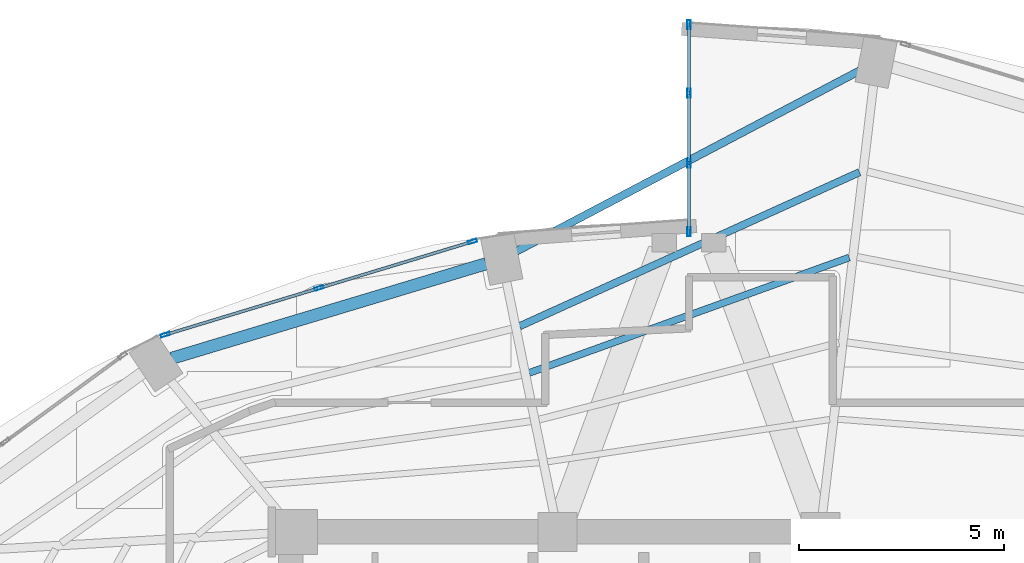
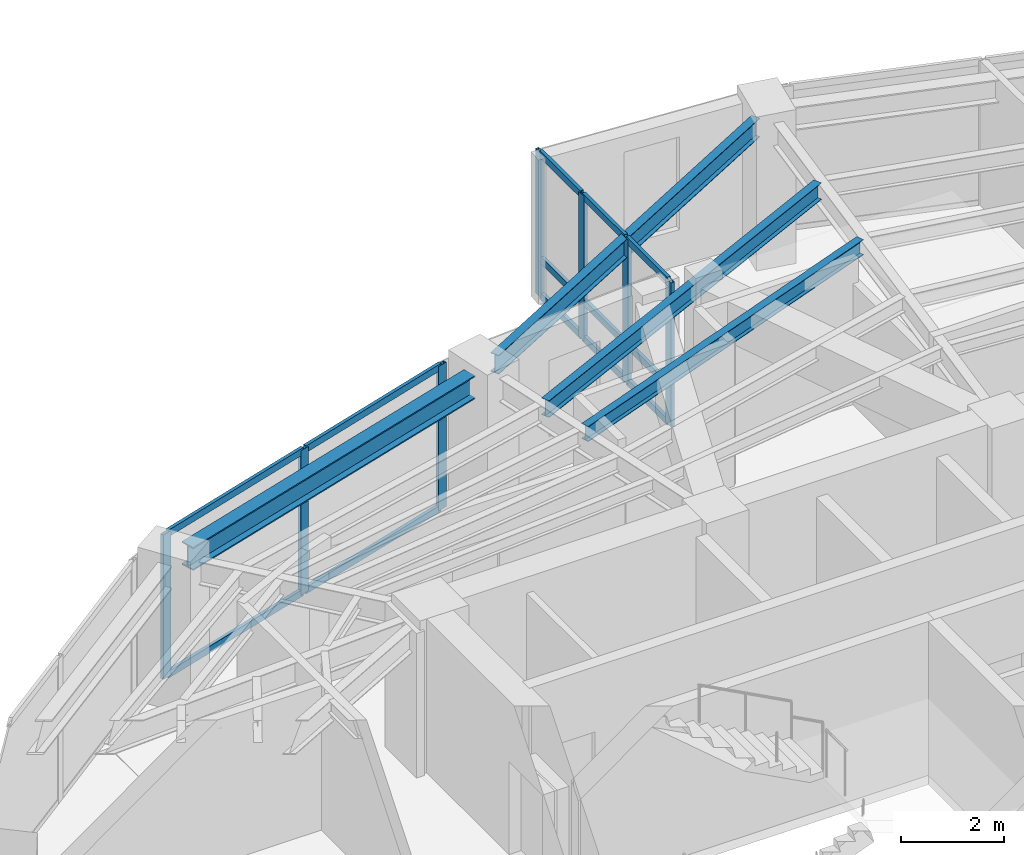
# One storey, part 12 of 20: 20 members, 4 beams, 2 elements without a shape of their own.
"""IFC4 building model written with IfcOpenShell, lengths in metres."""

from ifc_helpers import new_model, si_unit, direction, frame, origin, origin_2d, place, context, subcontext, project, spatial, hollow_rectangle, i_section, extrude, material, layer, layer_set, material_profile, profile_set, type_object, element, aggregate, save


model = new_model("IFC4")

# Units and contexts
model_context = context("Model", 3, precision=1e-05, world=origin(), true_north=direction((0.0, 1.0)))
body_context = subcontext(model_context, "Body", "Model", "MODEL_VIEW")
ifc_project = project(units=[si_unit("LENGTHUNIT", "METRE"), si_unit("AREAUNIT", "SQUARE_METRE"), si_unit("VOLUMEUNIT", "CUBIC_METRE"), si_unit("PLANEANGLEUNIT", "RADIAN"), si_unit("MASSUNIT", "GRAM", prefix="KILO")], contexts=[model_context])

# Site, building, storey
site_placement = place(None, origin())
site = spatial("IfcSite", under=ifc_project, at=site_placement, CompositionType="ELEMENT")
building_placement = place(site_placement, origin())
building = spatial("IfcBuilding", under=site, at=building_placement, Name="Lazwardi Medical Tower", CompositionType="ELEMENT")
storey_placement = place(building_placement, frame((0.0, 0.0, 152.8798828125)))
storey = spatial("IfcBuildingStorey", under=building, at=storey_placement, Name="L39", CompositionType="ELEMENT", Elevation=152.8798828125)

# Beams
ifc_material_1 = material(Name="Steel S355", Category="steel")
ifc_material_profile_1 = material_profile(ifc_material_1, i_section(OverallWidth=0.300048828125, OverallDepth=0.550048828125, WebThickness=0.014892578125, FlangeThickness=0.029052734375, at=origin_2d()), Name="HEB 550")
ifc_profile_set_1 = profile_set([ifc_material_profile_1], Name="Steel S355")
beam_type_1 = type_object("IfcBeamType", Name="BM-RB-Z3", PredefinedType="BEAM", material=ifc_profile_set_1)
beam_1_placement = place(storey_placement, frame((31.056884765625, 42.133544921875, 3.153076171875), z_axis=(-0.957616873483, -0.288045002771, 0.0), x_axis=(0.288045002771, -0.957616873483, 0.0)))
element("IfcBeam", 1, at=beam_1_placement, inside=storey, type_object=beam_type_1, Name="Ring beam RB-04 B09 L39", PredefinedType="BEAM", context=body_context, shape_type="SweptSolid", body=[
    extrude(i_section(OverallWidth=0.300048828125, OverallDepth=0.550048828125, WebThickness=0.014892578125, FlangeThickness=0.029052734375, at=origin_2d()), origin(), (0.0, 0.0, 1.0), 7.99951171875),
])
ifc_material_profile_2 = material_profile(ifc_material_1, i_section(OverallWidth=0.179931640625, OverallDepth=0.39990234375, WebThickness=0.008544921875, FlangeThickness=0.013427734375, at=origin_2d()), Name="IPE 400")
ifc_profile_set_2 = profile_set([ifc_material_profile_2], Name="Steel S355")
beam_type_2 = type_object("IfcBeamType", Name="BM-SJ-01", PredefinedType="JOIST", material=ifc_profile_set_2)
beam_2_placement = place(storey_placement, frame((40.155029296875, 44.3642578125, 3.22802734375), z_axis=(-0.910834000674, -0.412772846995, 0.0), x_axis=(0.412772846995, -0.910834000674, 0.0)))
element("IfcBeam", 2, at=beam_2_placement, inside=storey, type_object=beam_type_2, Name="Secondary joist SJ-01 R1 B08 L39", PredefinedType="JOIST", context=body_context, shape_type="SweptSolid", body=[
    extrude(i_section(OverallWidth=0.179931640625, OverallDepth=0.39990234375, WebThickness=0.008544921875, FlangeThickness=0.013427734375, at=origin_2d()), origin(), (0.0, 0.0, 1.0), 9.09130859375),
])
ifc_material_profile_3 = material_profile(ifc_material_1, i_section(OverallWidth=0.169921875, OverallDepth=0.360107421875, WebThickness=0.008056640625, FlangeThickness=0.0126953125, at=origin_2d()), Name="IPE 360")
ifc_profile_set_3 = profile_set([ifc_material_profile_3], Name="Steel S355")
beam_type_3 = type_object("IfcBeamType", Name="BM-SJ-02", PredefinedType="JOIST", material=ifc_profile_set_3)
beam_3_placement = place(storey_placement, frame((39.904052734375, 42.284423828125, 3.248046875), z_axis=(-0.940747993319, -0.339106492221, 0.0), x_axis=(0.339106492221, -0.940747993319, 0.0)))
element("IfcBeam", 3, at=beam_3_placement, inside=storey, type_object=beam_type_3, Name="Secondary joist SJ-02 R2 B08 L39", PredefinedType="JOIST", context=body_context, shape_type="SweptSolid", body=[
    extrude(i_section(OverallWidth=0.169921875, OverallDepth=0.360107421875, WebThickness=0.008056640625, FlangeThickness=0.0126953125, at=origin_2d()), origin(), (0.0, 0.0, 1.0), 8.28662109375),
])
ifc_material_profile_4 = material_profile(ifc_material_1, i_section(OverallWidth=0.18994140625, OverallDepth=0.449951171875, WebThickness=0.009521484375, FlangeThickness=0.0146484375, at=origin_2d()), Name="IPE 450")
ifc_profile_set_4 = profile_set([ifc_material_profile_4], Name="Steel S355")
beam_type_4 = type_object("IfcBeamType", Name="BM-SP-01", PredefinedType="SPANDREL", material=ifc_profile_set_4)
beam_4_placement = place(storey_placement, frame((40.206298828125, 46.862548828125, 3.203125), z_axis=(-0.884926578414, -0.465730556026, 0.0), x_axis=(0.465730556026, -0.884926578414, 0.0)))
element("IfcBeam", 4, at=beam_4_placement, inside=storey, type_object=beam_type_4, Name="Spandrel beam SP-01 B08 L39", PredefinedType="SPANDREL", context=body_context, shape_type="SweptSolid", body=[
    extrude(i_section(OverallWidth=0.18994140625, OverallDepth=0.449951171875, WebThickness=0.009521484375, FlangeThickness=0.0146484375, at=origin_2d()), origin(), (0.0, 0.0, 1.0), 9.506591796875),
])

# Curtain wall, members
ifc_material_2 = material(Name="Anodised bronze aluminium and solar control glazing", Category="aluminium")
ifc_layer_1 = layer(ifc_material_2, 0.195068359375)
ifc_layer_set_1 = layer_set([ifc_layer_1], Name="Anodised bronze aluminium and solar control glazing")
curtain_wall_type_1 = type_object("IfcCurtainWallType", Name="CW-SYS-03", PredefinedType="NOTDEFINED", material=ifc_layer_set_1)
curtain_wall_1_placement = place(storey_placement, origin())
curtain_wall_1 = element("IfcCurtainWall", 5, at=curtain_wall_1_placement, inside=storey, type_object=curtain_wall_type_1, Name="L39 Unitised bronze curtain wall CW-03", PredefinedType="NOTDEFINED")
ifc_material_3 = material(Name="Anodised bronze aluminium", Category="aluminium")
ifc_material_profile_5 = material_profile(ifc_material_3, hollow_rectangle(XDim=0.074951171875, YDim=0.219970703125, WallThickness=0.00390625, at=origin_2d()), Name="ALU-MULLION 220x75x4")
ifc_profile_set_5 = profile_set([ifc_material_profile_5], Name="Anodised bronze aluminium")
member_type_1 = type_object("IfcMemberType", Name="CW-MUL-01", PredefinedType="MULLION", material=ifc_profile_set_5)
member_1_placement = place(storey_placement, frame((30.72802734375, 42.674072265625, 0.0), z_axis=(0.0, 0.0, 1.0), x_axis=(0.290280785441, -0.956941516292, 0.0)))
member_1 = element("IfcMember", 6, at=member_1_placement, type_object=member_type_1, Name="CW-03 mullion 1", PredefinedType="MULLION", context=body_context, shape_type="SweptSolid", body=[
    extrude(hollow_rectangle(XDim=0.074951171875, YDim=0.219970703125, WallThickness=0.00390625, at=origin_2d()), origin(), (0.0, 0.0, 1.0), 3.42822265625),
])
member_2_placement = place(storey_placement, frame((26.98486328125, 41.538818359375, 0.0), z_axis=(0.0, 0.0, 1.0), x_axis=(0.290280785441, -0.956941516292, 0.0)))
member_2 = element("IfcMember", 7, at=member_2_placement, type_object=member_type_1, Name="CW-03 mullion 2", PredefinedType="MULLION", context=body_context, shape_type="SweptSolid", body=[
    extrude(hollow_rectangle(XDim=0.074951171875, YDim=0.219970703125, WallThickness=0.00390625, at=origin_2d()), origin(), (0.0, 0.0, 1.0), 3.42822265625),
])
member_3_placement = place(storey_placement, frame((23.241943359375, 40.4033203125, 0.0), z_axis=(0.0, 0.0, 1.0), x_axis=(0.290280785441, -0.956941516292, 0.0)))
member_3 = element("IfcMember", 8, at=member_3_placement, type_object=member_type_1, Name="CW-03 mullion 3", PredefinedType="MULLION", context=body_context, shape_type="SweptSolid", body=[
    extrude(hollow_rectangle(XDim=0.074951171875, YDim=0.219970703125, WallThickness=0.00390625, at=origin_2d()), origin(), (0.0, 0.0, 1.0), 3.42822265625),
])

ifc_layer_2 = layer(ifc_material_2, 0.2099609375)
ifc_layer_set_2 = layer_set([ifc_layer_2], Name="Anodised bronze aluminium and solar control glazing")
curtain_wall_type_2 = type_object("IfcCurtainWallType", Name="CW-SYS-06", PredefinedType="NOTDEFINED", material=ifc_layer_set_2)
curtain_wall_2_placement = place(storey_placement, origin())
curtain_wall_2 = element("IfcCurtainWall", 9, at=curtain_wall_2_placement, inside=storey, type_object=curtain_wall_type_2, Name="L39 Unitised bronze curtain wall CW-06", PredefinedType="NOTDEFINED")
member_4_placement = place(storey_placement, frame((36.0, 47.96240234375, 0.0), z_axis=(0.0, 0.0, 1.0), x_axis=(1.0, 0.0, 0.0)))
member_4 = element("IfcMember", 10, at=member_4_placement, type_object=member_type_1, Name="CW-06 mullion 1", PredefinedType="MULLION", context=body_context, shape_type="SweptSolid", body=[
    extrude(hollow_rectangle(XDim=0.074951171875, YDim=0.219970703125, WallThickness=0.00390625, at=origin_2d()), origin(), (0.0, 0.0, 1.0), 3.42822265625),
])
member_5_placement = place(storey_placement, frame((36.0, 46.293212890625, 0.0), z_axis=(0.0, 0.0, 1.0), x_axis=(1.0, 0.0, 0.0)))
member_5 = element("IfcMember", 11, at=member_5_placement, type_object=member_type_1, Name="CW-06 mullion 2", PredefinedType="MULLION", context=body_context, shape_type="SweptSolid", body=[
    extrude(hollow_rectangle(XDim=0.074951171875, YDim=0.219970703125, WallThickness=0.00390625, at=origin_2d()), origin(), (0.0, 0.0, 1.0), 3.42822265625),
])
member_6_placement = place(storey_placement, frame((36.0, 44.586669921875, 0.0), z_axis=(0.0, 0.0, 1.0), x_axis=(1.0, 0.0, 0.0)))
member_6 = element("IfcMember", 12, at=member_6_placement, type_object=member_type_1, Name="CW-06 mullion 3", PredefinedType="MULLION", context=body_context, shape_type="SweptSolid", body=[
    extrude(hollow_rectangle(XDim=0.074951171875, YDim=0.219970703125, WallThickness=0.00390625, at=origin_2d()), origin(), (0.0, 0.0, 1.0), 3.42822265625),
])
member_7_placement = place(storey_placement, frame((36.0, 42.91748046875, 0.0), z_axis=(0.0, 0.0, 1.0), x_axis=(1.0, 0.0, 0.0)))
member_7 = element("IfcMember", 13, at=member_7_placement, type_object=member_type_1, Name="CW-06 mullion 4", PredefinedType="MULLION", context=body_context, shape_type="SweptSolid", body=[
    extrude(hollow_rectangle(XDim=0.074951171875, YDim=0.219970703125, WallThickness=0.00390625, at=origin_2d()), origin(), (0.0, 0.0, 1.0), 3.42822265625),
])

# Member
ifc_material_profile_6 = material_profile(ifc_material_3, hollow_rectangle(XDim=0.074951171875, YDim=0.159912109375, WallThickness=0.00390625, at=origin_2d()), Name="ALU-TRANSOM 160x75x4")
ifc_profile_set_6 = profile_set([ifc_material_profile_6], Name="Anodised bronze aluminium")
member_type_2 = type_object("IfcMemberType", Name="CW-TRN-01", PredefinedType="USERDEFINED", material=ifc_profile_set_6)
member_8_placement = place(storey_placement, frame((30.692138671875, 42.663330078125, 0.03759765625), z_axis=(-0.956935517424, -0.290300560612, 0.0), x_axis=(0.290300560612, -0.956935517424, 0.0)))
member_8 = element("IfcMember", 14, at=member_8_placement, type_object=member_type_2, Name="CW-03 transom 1.1", ObjectType="TRANSOM", PredefinedType="USERDEFINED", context=body_context, shape_type="SweptSolid", body=[
    extrude(hollow_rectangle(XDim=0.074951171875, YDim=0.159912109375, WallThickness=0.00390625, at=origin_2d()), origin(), (0.0, 0.0, 1.0), 3.836669921875),
])

member_9_placement = place(storey_placement, frame((30.692138671875, 42.663330078125, 3.390625), z_axis=(-0.956935517424, -0.290300560612, 0.0), x_axis=(0.290300560612, -0.956935517424, 0.0)))
member_9 = element("IfcMember", 15, at=member_9_placement, type_object=member_type_2, Name="CW-03 transom 1.2", ObjectType="TRANSOM", PredefinedType="USERDEFINED", context=body_context, shape_type="SweptSolid", body=[
    extrude(hollow_rectangle(XDim=0.074951171875, YDim=0.159912109375, WallThickness=0.00390625, at=origin_2d()), origin(), (0.0, 0.0, 1.0), 3.836669921875),
])

member_10_placement = place(storey_placement, frame((26.948974609375, 41.52783203125, 0.03759765625), z_axis=(-0.956930154175, -0.290318239233, 0.0), x_axis=(0.290318239233, -0.956930154175, 0.0)))
member_10 = element("IfcMember", 16, at=member_10_placement, type_object=member_type_2, Name="CW-03 transom 2.1", ObjectType="TRANSOM", PredefinedType="USERDEFINED", context=body_context, shape_type="SweptSolid", body=[
    extrude(hollow_rectangle(XDim=0.074951171875, YDim=0.159912109375, WallThickness=0.00390625, at=origin_2d()), origin(), (0.0, 0.0, 1.0), 3.83642578125),
])

member_11_placement = place(storey_placement, frame((26.948974609375, 41.52783203125, 3.390625), z_axis=(-0.956930154175, -0.290318239233, 0.0), x_axis=(0.290318239233, -0.956930154175, 0.0)))
member_11 = element("IfcMember", 17, at=member_11_placement, type_object=member_type_2, Name="CW-03 transom 2.2", ObjectType="TRANSOM", PredefinedType="USERDEFINED", context=body_context, shape_type="SweptSolid", body=[
    extrude(hollow_rectangle(XDim=0.074951171875, YDim=0.159912109375, WallThickness=0.00390625, at=origin_2d()), origin(), (0.0, 0.0, 1.0), 3.83642578125),
])

aggregate(curtain_wall_1, [member_1, member_2, member_3, member_8, member_9, member_10, member_11])

member_12_placement = place(storey_placement, frame((36.0, 47.925048828125, 0.03759765625), z_axis=(0.0, -1.0, 0.0), x_axis=(1.0, 0.0, 0.0)))
member_12 = element("IfcMember", 18, at=member_12_placement, type_object=member_type_2, Name="CW-06 transom 1.1", ObjectType="TRANSOM", PredefinedType="USERDEFINED", context=body_context, shape_type="SweptSolid", body=[
    extrude(hollow_rectangle(XDim=0.074951171875, YDim=0.159912109375, WallThickness=0.00390625, at=origin_2d()), origin(), (0.0, 0.0, 1.0), 1.59423828125),
])

member_13_placement = place(storey_placement, frame((36.0, 47.925048828125, 0.900146484375), z_axis=(0.0, -1.0, 0.0), x_axis=(1.0, 0.0, 0.0)))
member_13 = element("IfcMember", 19, at=member_13_placement, type_object=member_type_2, Name="CW-06 transom 1.2", ObjectType="TRANSOM", PredefinedType="USERDEFINED", context=body_context, shape_type="SweptSolid", body=[
    extrude(hollow_rectangle(XDim=0.074951171875, YDim=0.159912109375, WallThickness=0.00390625, at=origin_2d()), origin(), (0.0, 0.0, 1.0), 1.59423828125),
])

member_14_placement = place(storey_placement, frame((36.0, 47.925048828125, 3.390625), z_axis=(0.0, -1.0, 0.0), x_axis=(1.0, 0.0, 0.0)))
member_14 = element("IfcMember", 20, at=member_14_placement, type_object=member_type_2, Name="CW-06 transom 1.3", ObjectType="TRANSOM", PredefinedType="USERDEFINED", context=body_context, shape_type="SweptSolid", body=[
    extrude(hollow_rectangle(XDim=0.074951171875, YDim=0.159912109375, WallThickness=0.00390625, at=origin_2d()), origin(), (0.0, 0.0, 1.0), 1.59423828125),
])

member_15_placement = place(storey_placement, frame((36.0, 46.255859375, 0.03759765625), z_axis=(0.0, -1.0, 0.0), x_axis=(1.0, 0.0, 0.0)))
member_15 = element("IfcMember", 21, at=member_15_placement, type_object=member_type_2, Name="CW-06 transom 2.1", ObjectType="TRANSOM", PredefinedType="USERDEFINED", context=body_context, shape_type="SweptSolid", body=[
    extrude(hollow_rectangle(XDim=0.074951171875, YDim=0.159912109375, WallThickness=0.00390625, at=origin_2d()), origin(), (0.0, 0.0, 1.0), 1.631591796875),
])

member_16_placement = place(storey_placement, frame((36.0, 46.255859375, 0.900146484375), z_axis=(0.0, -1.0, 0.0), x_axis=(1.0, 0.0, 0.0)))
member_16 = element("IfcMember", 22, at=member_16_placement, type_object=member_type_2, Name="CW-06 transom 2.2", ObjectType="TRANSOM", PredefinedType="USERDEFINED", context=body_context, shape_type="SweptSolid", body=[
    extrude(hollow_rectangle(XDim=0.074951171875, YDim=0.159912109375, WallThickness=0.00390625, at=origin_2d()), origin(), (0.0, 0.0, 1.0), 1.631591796875),
])

member_17_placement = place(storey_placement, frame((36.0, 46.255859375, 3.390625), z_axis=(0.0, -1.0, 0.0), x_axis=(1.0, 0.0, 0.0)))
member_17 = element("IfcMember", 23, at=member_17_placement, type_object=member_type_2, Name="CW-06 transom 2.3", ObjectType="TRANSOM", PredefinedType="USERDEFINED", context=body_context, shape_type="SweptSolid", body=[
    extrude(hollow_rectangle(XDim=0.074951171875, YDim=0.159912109375, WallThickness=0.00390625, at=origin_2d()), origin(), (0.0, 0.0, 1.0), 1.631591796875),
])

member_18_placement = place(storey_placement, frame((36.0, 44.549072265625, 0.03759765625), z_axis=(0.0, -1.0, 0.0), x_axis=(1.0, 0.0, 0.0)))
member_18 = element("IfcMember", 24, at=member_18_placement, type_object=member_type_2, Name="CW-06 transom 3.1", ObjectType="TRANSOM", PredefinedType="USERDEFINED", context=body_context, shape_type="SweptSolid", body=[
    extrude(hollow_rectangle(XDim=0.074951171875, YDim=0.159912109375, WallThickness=0.00390625, at=origin_2d()), origin(), (0.0, 0.0, 1.0), 1.593994140625),
])

member_19_placement = place(storey_placement, frame((36.0, 44.549072265625, 0.900146484375), z_axis=(0.0, -1.0, 0.0), x_axis=(1.0, 0.0, 0.0)))
member_19 = element("IfcMember", 25, at=member_19_placement, type_object=member_type_2, Name="CW-06 transom 3.2", ObjectType="TRANSOM", PredefinedType="USERDEFINED", context=body_context, shape_type="SweptSolid", body=[
    extrude(hollow_rectangle(XDim=0.074951171875, YDim=0.159912109375, WallThickness=0.00390625, at=origin_2d()), origin(), (0.0, 0.0, 1.0), 1.593994140625),
])

member_20_placement = place(storey_placement, frame((36.0, 44.549072265625, 3.390625), z_axis=(0.0, -1.0, 0.0), x_axis=(1.0, 0.0, 0.0)))
member_20 = element("IfcMember", 26, at=member_20_placement, type_object=member_type_2, Name="CW-06 transom 3.3", ObjectType="TRANSOM", PredefinedType="USERDEFINED", context=body_context, shape_type="SweptSolid", body=[
    extrude(hollow_rectangle(XDim=0.074951171875, YDim=0.159912109375, WallThickness=0.00390625, at=origin_2d()), origin(), (0.0, 0.0, 1.0), 1.593994140625),
])

aggregate(curtain_wall_2, [member_4, member_5, member_6, member_7, member_12, member_13, member_14, member_15, member_16, member_17, member_18, member_19, member_20])

save(model, "model.ifc")
